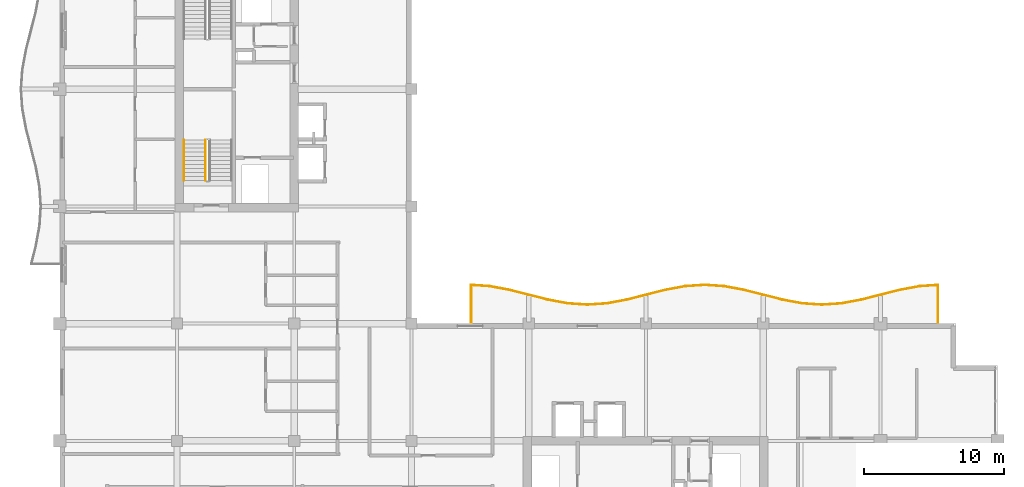
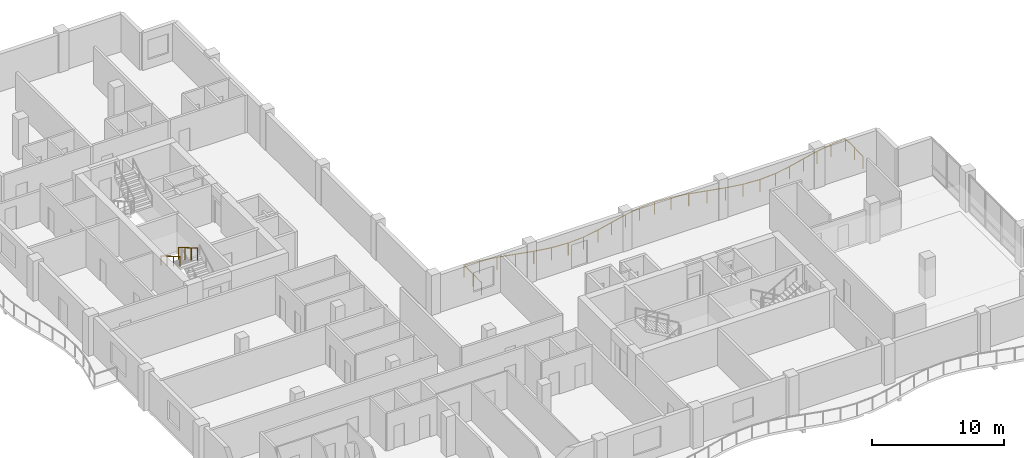
# One storey, part 15 of 16: 3 railings.
"""IFC4 building model written with IfcOpenShell, lengths in metres."""

from ifc_helpers import new_model, si_unit, direction, frame, origin, origin_2d, place, context, subcontext, project, spatial, circle, extrude, material, type_object, element, save


model = new_model("IFC4")

# Units and contexts
model_context = context("Model", 3, precision=1e-05, world=origin(), true_north=direction((0.0, 1.0)))
body_context = subcontext(model_context, "Body", "Model", "MODEL_VIEW")
ifc_project = project(units=[si_unit("LENGTHUNIT", "METRE"), si_unit("AREAUNIT", "SQUARE_METRE"), si_unit("VOLUMEUNIT", "CUBIC_METRE"), si_unit("PLANEANGLEUNIT", "RADIAN"), si_unit("MASSUNIT", "GRAM", prefix="KILO")], contexts=[model_context])

# Site, building, storey
site_placement = place(None, origin())
site = spatial("IfcSite", under=ifc_project, at=site_placement, CompositionType="ELEMENT")
building_placement = place(site_placement, origin())
building = spatial("IfcBuilding", under=site, at=building_placement, Name="Koriwani Terraces Tower", CompositionType="ELEMENT")
storey_placement = place(building_placement, frame((0.0, 0.0, 260.10009765625)))
storey = spatial("IfcBuildingStorey", under=building, at=storey_placement, Name="L64", CompositionType="ELEMENT", Elevation=260.10009765625)

# Railings
ifc_material = material(Name="Steel ASTM A572 Grade 50", Category="steel")
railing_type_1 = type_object("IfcRailingType", Name="GUARD_BALUSTRADE_1150", PredefinedType="BALUSTRADE", material=ifc_material)
railing_1_placement = place(storey_placement, frame((71.320068359375, 33.679931640625, 0.0)))
element("IfcRailing", 1, at=railing_1_placement, inside=storey, type_object=railing_type_1, Name="L64 Balcony Perimeter Safety Balustrade (NE)", PredefinedType="BALUSTRADE", context=body_context, shape_type="SweptSolid", body=[
    extrude(circle(Radius=0.02392578125, at=origin_2d()), frame((0.0, 0.0, 1.1259765625), z_axis=(0.0, 1.0, 0.0), x_axis=(-1.0, 0.0, 0.0)), (0.0, 0.0, 1.0), 2.6845703125),
    extrude(circle(Radius=0.02392578125, at=origin_2d()), frame((0.0, 2.6845703125, 1.1259765625), z_axis=(-0.997694577512, -0.06786405531, 0.0), x_axis=(0.06786405531, -0.997694577512, 0.0)), (0.0, 0.0, 1.0), 1.31298828125),
    extrude(circle(Radius=0.02392578125, at=origin_2d()), frame((-1.31005859375, 2.595458984375, 1.1259765625), z_axis=(-0.98320420208, -0.182508895706, 0.0), x_axis=(0.182508895706, -0.98320420208, 0.0)), (0.0, 0.0, 1.0), 1.41650390625),
    extrude(circle(Radius=0.02392578125, at=origin_2d()), frame((-2.702880859375, 2.3369140625, 1.1259765625), z_axis=(-0.969326714928, -0.245775750895, 0.0), x_axis=(0.245775750895, -0.969326714928, 0.0)), (0.0, 0.0, 1.0), 2.888671875),
    extrude(circle(Radius=0.02392578125, at=origin_2d()), frame((-5.5029296875, 1.626953125, 1.1259765625), z_axis=(-0.983233329212, -0.182351913416, 0.0), x_axis=(0.182351913416, -0.983233329212, 0.0)), (0.0, 0.0, 1.0), 1.43115234375),
    extrude(circle(Radius=0.02392578125, at=origin_2d()), frame((-6.91015625, 1.365966796875, 1.1259765625), z_axis=(-0.997704165633, -0.067722949425, 0.0), x_axis=(0.067722949425, -0.997704165633, 0.0)), (0.0, 0.0, 1.0), 1.4130859375),
    extrude(circle(Radius=0.02392578125, at=origin_2d()), frame((-8.320068359375, 1.270263671875, 1.1259765625), z_axis=(-0.997704165633, 0.067722949425, 0.0), x_axis=(-0.067722949425, -0.997704165633, 0.0)), (0.0, 0.0, 1.0), 1.4130859375),
    extrude(circle(Radius=0.02392578125, at=origin_2d()), frame((-9.72998046875, 1.365966796875, 1.1259765625), z_axis=(-0.983233329212, 0.182351913416, 0.0), x_axis=(-0.182351913416, -0.983233329212, 0.0)), (0.0, 0.0, 1.0), 1.43115234375),
    extrude(circle(Radius=0.02392578125, at=origin_2d()), frame((-11.13720703125, 1.626953125, 1.1259765625), z_axis=(-0.969326714928, 0.245775750895, 0.0), x_axis=(-0.245775750895, -0.969326714928, 0.0)), (0.0, 0.0, 1.0), 2.888671875),
    extrude(circle(Radius=0.02392578125, at=origin_2d()), frame((-13.937255859375, 2.3369140625, 1.1259765625), z_axis=(-0.98320420208, 0.182508895706, 0.0), x_axis=(-0.182508895706, -0.98320420208, 0.0)), (0.0, 0.0, 1.0), 1.41650390625),
    extrude(circle(Radius=0.02392578125, at=origin_2d()), frame((-15.330078125, 2.595458984375, 1.1259765625), z_axis=(-0.997697457915, 0.067821696155, 0.0), x_axis=(-0.067821696155, -0.997697457915, 0.0)), (0.0, 0.0, 1.0), 1.39306640625),
    extrude(circle(Radius=0.02392578125, at=origin_2d()), frame((-16.719970703125, 2.68994140625, 1.1259765625), z_axis=(-0.997698263815, -0.067809839848, 0.0), x_axis=(0.067809839848, -0.997698263815, 0.0)), (0.0, 0.0, 1.0), 1.393310546875),
    extrude(circle(Radius=0.02392578125, at=origin_2d()), frame((-18.110107421875, 2.595458984375, 1.1259765625), z_axis=(-0.98320420208, -0.182508895706, 0.0), x_axis=(0.182508895706, -0.98320420208, 0.0)), (0.0, 0.0, 1.0), 1.41650390625),
    extrude(circle(Radius=0.02392578125, at=origin_2d()), frame((-19.5029296875, 2.3369140625, 1.1259765625), z_axis=(-0.969326714928, -0.245775750895, 0.0), x_axis=(0.245775750895, -0.969326714928, 0.0)), (0.0, 0.0, 1.0), 2.888671875),
    extrude(circle(Radius=0.02392578125, at=origin_2d()), frame((-22.302978515625, 1.626953125, 1.1259765625), z_axis=(-0.983227655562, -0.182382502828, 0.0), x_axis=(0.182382502828, -0.983227655562, 0.0)), (0.0, 0.0, 1.0), 1.430908203125),
    extrude(circle(Radius=0.02392578125, at=origin_2d()), frame((-23.7099609375, 1.365966796875, 1.1259765625), z_axis=(-0.997704957786, -0.067711278299, 0.0), x_axis=(0.067711278299, -0.997704957786, 0.0)), (0.0, 0.0, 1.0), 1.413330078125),
    extrude(circle(Radius=0.02392578125, at=origin_2d()), frame((-25.1201171875, 1.270263671875, 1.1259765625), z_axis=(-0.997704165633, 0.067722949425, 0.0), x_axis=(-0.067722949425, -0.997704165633, 0.0)), (0.0, 0.0, 1.0), 1.4130859375),
    extrude(circle(Radius=0.02392578125, at=origin_2d()), frame((-26.530029296875, 1.365966796875, 1.1259765625), z_axis=(-0.983233329212, 0.182351913416, 0.0), x_axis=(-0.182351913416, -0.983233329212, 0.0)), (0.0, 0.0, 1.0), 1.43115234375),
    extrude(circle(Radius=0.02392578125, at=origin_2d()), frame((-27.937255859375, 1.626953125, 1.1259765625), z_axis=(-0.969326714928, 0.245775750895, 0.0), x_axis=(-0.245775750895, -0.969326714928, 0.0)), (0.0, 0.0, 1.0), 2.888671875),
    extrude(circle(Radius=0.02392578125, at=origin_2d()), frame((-30.7373046875, 2.3369140625, 1.1259765625), z_axis=(-0.98320420208, 0.182508895706, 0.0), x_axis=(-0.182508895706, -0.98320420208, 0.0)), (0.0, 0.0, 1.0), 1.41650390625),
    extrude(circle(Radius=0.02392578125, at=origin_2d()), frame((-32.130126953125, 2.595458984375, 1.1259765625), z_axis=(-0.997694577512, 0.06786405531, 0.0), x_axis=(-0.06786405531, -0.997694577512, 0.0)), (0.0, 0.0, 1.0), 1.31298828125),
    extrude(circle(Radius=0.02392578125, at=origin_2d()), frame((-33.440185546875, 2.6845703125, 1.1259765625), z_axis=(0.0, -1.0, 0.0), x_axis=(1.0, 0.0, 0.0)), (0.0, 0.0, 1.0), 2.6845703125),
    extrude(circle(Radius=0.02099609375, at=origin_2d()), origin(), (0.0, 0.0, 1.0), 1.101806640625),
    extrude(circle(Radius=0.02099609375, at=origin_2d()), frame((0.0, 1.34228515625, 0.0)), (0.0, 0.0, 1.0), 1.101806640625),
    extrude(circle(Radius=0.02099609375, at=origin_2d()), frame((0.0, 2.6845703125, 0.0)), (0.0, 0.0, 1.0), 1.101806640625),
    extrude(circle(Radius=0.02099609375, at=origin_2d()), frame((-1.31005859375, 2.595458984375, 0.0)), (0.0, 0.0, 1.0), 1.101806640625),
    extrude(circle(Radius=0.02099609375, at=origin_2d()), frame((-2.702880859375, 2.3369140625, 0.0)), (0.0, 0.0, 1.0), 1.101806640625),
    extrude(circle(Radius=0.02099609375, at=origin_2d()), frame((-4.10302734375, 1.98193359375, 0.0)), (0.0, 0.0, 1.0), 1.101806640625),
    extrude(circle(Radius=0.02099609375, at=origin_2d()), frame((-5.5029296875, 1.626953125, 0.0)), (0.0, 0.0, 1.0), 1.101806640625),
    extrude(circle(Radius=0.02099609375, at=origin_2d()), frame((-6.91015625, 1.365966796875, 0.0)), (0.0, 0.0, 1.0), 1.101806640625),
    extrude(circle(Radius=0.02099609375, at=origin_2d()), frame((-8.320068359375, 1.270263671875, 0.0)), (0.0, 0.0, 1.0), 1.101806640625),
    extrude(circle(Radius=0.02099609375, at=origin_2d()), frame((-9.72998046875, 1.365966796875, 0.0)), (0.0, 0.0, 1.0), 1.101806640625),
    extrude(circle(Radius=0.02099609375, at=origin_2d()), frame((-11.13720703125, 1.626953125, 0.0)), (0.0, 0.0, 1.0), 1.101806640625),
    extrude(circle(Radius=0.02099609375, at=origin_2d()), frame((-12.537109375, 1.98193359375, 0.0)), (0.0, 0.0, 1.0), 1.101806640625),
    extrude(circle(Radius=0.02099609375, at=origin_2d()), frame((-13.937255859375, 2.3369140625, 0.0)), (0.0, 0.0, 1.0), 1.101806640625),
    extrude(circle(Radius=0.02099609375, at=origin_2d()), frame((-15.330078125, 2.595458984375, 0.0)), (0.0, 0.0, 1.0), 1.101806640625),
    extrude(circle(Radius=0.02099609375, at=origin_2d()), frame((-16.719970703125, 2.68994140625, 0.0)), (0.0, 0.0, 1.0), 1.101806640625),
    extrude(circle(Radius=0.02099609375, at=origin_2d()), frame((-18.110107421875, 2.595458984375, 0.0)), (0.0, 0.0, 1.0), 1.101806640625),
    extrude(circle(Radius=0.02099609375, at=origin_2d()), frame((-19.5029296875, 2.3369140625, 0.0)), (0.0, 0.0, 1.0), 1.101806640625),
    extrude(circle(Radius=0.02099609375, at=origin_2d()), frame((-20.90283203125, 1.98193359375, 0.0)), (0.0, 0.0, 1.0), 1.101806640625),
    extrude(circle(Radius=0.02099609375, at=origin_2d()), frame((-22.302978515625, 1.626953125, 0.0)), (0.0, 0.0, 1.0), 1.101806640625),
    extrude(circle(Radius=0.02099609375, at=origin_2d()), frame((-23.7099609375, 1.365966796875, 0.0)), (0.0, 0.0, 1.0), 1.101806640625),
    extrude(circle(Radius=0.02099609375, at=origin_2d()), frame((-25.1201171875, 1.270263671875, 0.0)), (0.0, 0.0, 1.0), 1.101806640625),
    extrude(circle(Radius=0.02099609375, at=origin_2d()), frame((-26.530029296875, 1.365966796875, 0.0)), (0.0, 0.0, 1.0), 1.101806640625),
    extrude(circle(Radius=0.02099609375, at=origin_2d()), frame((-27.937255859375, 1.626953125, 0.0)), (0.0, 0.0, 1.0), 1.101806640625),
    extrude(circle(Radius=0.02099609375, at=origin_2d()), frame((-29.33740234375, 1.98193359375, 0.0)), (0.0, 0.0, 1.0), 1.101806640625),
    extrude(circle(Radius=0.02099609375, at=origin_2d()), frame((-30.7373046875, 2.3369140625, 0.0)), (0.0, 0.0, 1.0), 1.101806640625),
    extrude(circle(Radius=0.02099609375, at=origin_2d()), frame((-32.130126953125, 2.595458984375, 0.0)), (0.0, 0.0, 1.0), 1.101806640625),
    extrude(circle(Radius=0.02099609375, at=origin_2d()), frame((-33.440185546875, 2.6845703125, 0.0)), (0.0, 0.0, 1.0), 1.101806640625),
    extrude(circle(Radius=0.02099609375, at=origin_2d()), frame((-33.440185546875, 1.34228515625, 0.0)), (0.0, 0.0, 1.0), 1.101806640625),
    extrude(circle(Radius=0.02099609375, at=origin_2d()), frame((-33.440185546875, 0.0, 0.0)), (0.0, 0.0, 1.0), 1.101806640625),
])
railing_type_2 = type_object("IfcRailingType", Name="GUARD_STAIR_WELL_1120", PredefinedType="GUARDRAIL", material=ifc_material)
railing_2_placement = place(storey_placement, frame((18.85009765625, 46.75, 2.01806640625)))
element("IfcRailing", 2, at=railing_2_placement, inside=storey, type_object=railing_type_2, Name="L64 ST-W1 stair guard 3", PredefinedType="GUARDRAIL", context=body_context, shape_type="SweptSolid", body=[
    extrude(circle(Radius=0.02392578125, at=origin_2d()), frame((0.0, 0.0, 1.1259765625), z_axis=(0.0, -0.865038774852, 0.501705010941), x_axis=(1.0, 0.0, 0.0)), (0.0, 0.0, 1.0), 3.352294921875),
    extrude(circle(Radius=0.02099609375, at=origin_2d()), origin(), (0.0, 0.0, 1.0), 1.101806640625),
    extrude(circle(Radius=0.02099609375, at=origin_2d()), frame((0.0, -0.966552734375, 0.560546875)), (0.0, 0.0, 1.0), 1.101806640625),
    extrude(circle(Radius=0.02099609375, at=origin_2d()), frame((0.0, -1.933349609375, 1.121337890625)), (0.0, 0.0, 1.0), 1.101806640625),
    extrude(circle(Radius=0.02099609375, at=origin_2d()), frame((0.0, -2.89990234375, 1.681884765625)), (0.0, 0.0, 1.0), 1.101806640625),
])
railing_type_3 = type_object("IfcRailingType", Name="HANDRAIL_STAIR_920", PredefinedType="HANDRAIL", material=ifc_material)
railing_3_placement = place(storey_placement, frame((17.300048828125, 46.75, 2.01806640625)))
element("IfcRailing", 3, at=railing_3_placement, inside=storey, type_object=railing_type_3, Name="L64 ST-W1 stair handrail 2", PredefinedType="HANDRAIL", context=body_context, shape_type="SweptSolid", body=[
    extrude(circle(Radius=0.02392578125, at=origin_2d()), frame((0.0, 0.0, 0.8759765625), z_axis=(0.0, -0.865038774852, 0.501705010941), x_axis=(1.0, 0.0, 0.0)), (0.0, 0.0, 1.0), 3.352294921875),
    extrude(circle(Radius=0.02099609375, at=origin_2d()), origin(), (0.0, 0.0, 1.0), 0.851806640625),
    extrude(circle(Radius=0.02099609375, at=origin_2d()), frame((0.0, -0.966552734375, 0.560546875)), (0.0, 0.0, 1.0), 0.851806640625),
    extrude(circle(Radius=0.02099609375, at=origin_2d()), frame((0.0, -1.933349609375, 1.121337890625)), (0.0, 0.0, 1.0), 0.851806640625),
    extrude(circle(Radius=0.02099609375, at=origin_2d()), frame((0.0, -2.89990234375, 1.681884765625)), (0.0, 0.0, 1.0), 0.851806640625),
])

save(model, "model.ifc")
